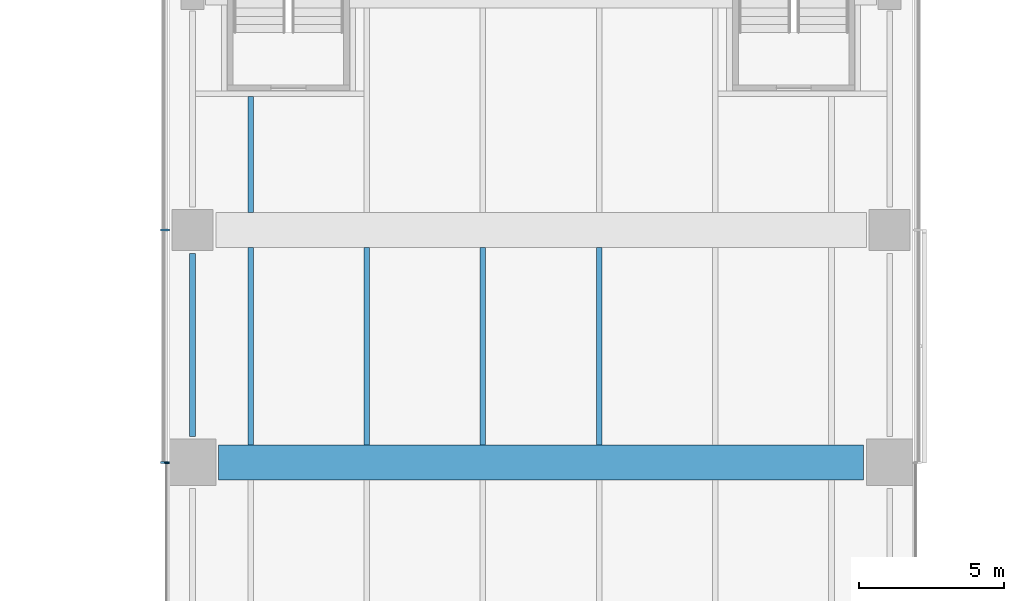
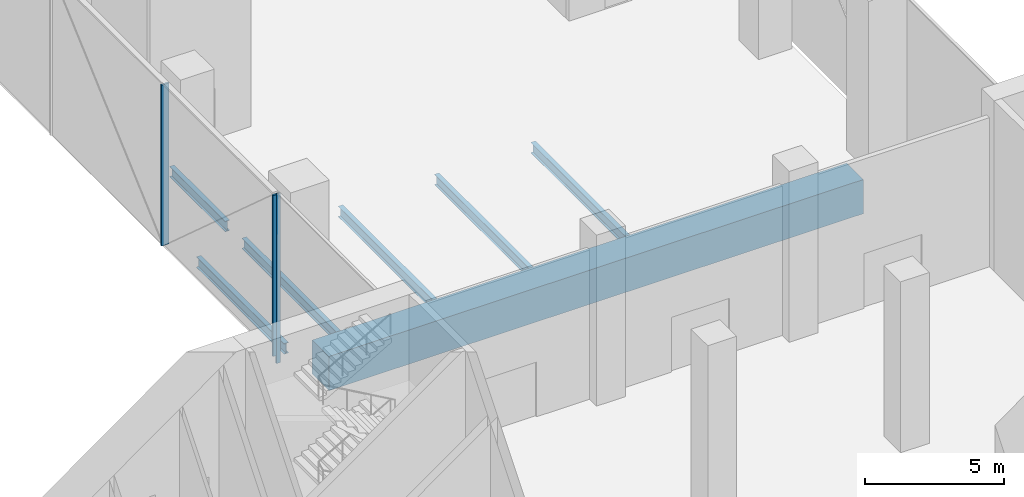
# One storey, part 8 of 25: 7 beams, 3 members, 2 elements without a shape of their own.
"""IFC4 building model written with IfcOpenShell, lengths in metres."""

from ifc_helpers import new_model, si_unit, direction, frame, origin, origin_2d, place, context, subcontext, project, spatial, rectangle, i_section, extrude, material, material_profile, profile_set, type_object, element, aggregate, save


model = new_model("IFC4")

# Units and contexts
model_context = context("Model", 3, precision=1e-05, world=origin(), true_north=direction((0.0, 1.0)))
body_context = subcontext(model_context, "Body", "Model", "MODEL_VIEW")
ifc_project = project(units=[si_unit("LENGTHUNIT", "METRE"), si_unit("AREAUNIT", "SQUARE_METRE"), si_unit("VOLUMEUNIT", "CUBIC_METRE"), si_unit("PLANEANGLEUNIT", "RADIAN"), si_unit("MASSUNIT", "GRAM", prefix="KILO")], contexts=[model_context])

# Site, building, storey
site_placement = place(None, origin())
site = spatial("IfcSite", under=ifc_project, at=site_placement, CompositionType="ELEMENT")
building_placement = place(site_placement, origin())
building = spatial("IfcBuilding", under=site, at=building_placement, Name="Crosswind Convention Tower", CompositionType="ELEMENT")
storey_placement = place(building_placement, frame((0.0, 0.0, 10.0)))
storey = spatial("IfcBuildingStorey", under=building, at=storey_placement, Name="L01", CompositionType="ELEMENT", Elevation=10.0)

# Beam
ifc_material_1 = material(Name="Steel S355", Category="steel")
ifc_material_profile_1 = material_profile(ifc_material_1, i_section(OverallWidth=0.19287109375, OverallDepth=0.467529296875, WebThickness=0.011474609375, FlangeThickness=0.01953125, FilletRadius=0.01025390625, at=origin_2d()), Name="UB 457x191x98")
ifc_profile_set_1 = profile_set([ifc_material_profile_1], Name="Steel S355")
beam_type_1 = type_object("IfcBeamType", Name="Edge beam UB 457x191x98", PredefinedType="SPANDREL", material=ifc_profile_set_1)
beam_1_placement = place(storey_placement, frame((113.0, 120.89990234375, -0.6337890625), z_axis=(0.0, 1.0, 0.0), x_axis=(-1.0, 0.0, 0.0)))
element("IfcBeam", 1, at=beam_1_placement, inside=storey, type_object=beam_type_1, Name="B20 L01 edge beam 10", PredefinedType="SPANDREL", context=body_context, shape_type="SweptSolid", body=[
    extrude(i_section(OverallWidth=0.19287109375, OverallDepth=0.467529296875, WebThickness=0.011474609375, FlangeThickness=0.01953125, FilletRadius=0.01025390625, at=origin_2d()), origin(), (0.0, 0.0, 1.0), 6.300048828125),
])

# Curtain wall, member
ifc_material_2 = material(Name="Aluminium unitised curtain wall", Category="aluminium")
curtain_wall_type_1 = type_object("IfcCurtainWallType", Name="CORE END SLOT WALL 160", PredefinedType="USERDEFINED", material=ifc_material_2)
curtain_wall_1_placement = place(storey_placement, origin())
curtain_wall_1 = element("IfcCurtainWall", 2, at=curtain_wall_1_placement, inside=storey, type_object=curtain_wall_type_1, Name="CW6 L01 N-W.1-4 slot", ObjectType="UNITISED", PredefinedType="USERDEFINED")
ifc_material_3 = material(Name="Aluminium mullion", Category="aluminium")
ifc_material_profile_2 = material_profile(ifc_material_3, rectangle(XDim=0.159912109375, YDim=0.050048828125, at=origin_2d()), Name="AL 160X50")
ifc_profile_set_2 = profile_set([ifc_material_profile_2], Name="Aluminium mullion")
member_type_1 = type_object("IfcMemberType", Name="MULLION 50X160", PredefinedType="MULLION", material=ifc_profile_set_2)
member_1_placement = place(storey_placement, frame((112.1201171875, 119.97509765625, -0.39990234375), z_axis=(0.0, 0.0, 1.0), x_axis=(-1.0, 0.0, 0.0)))
member_1 = element("IfcMember", 3, at=member_1_placement, type_object=member_type_1, Name="CW6 mullion 1", PredefinedType="MULLION", context=body_context, shape_type="SweptSolid", body=[
    extrude(rectangle(XDim=0.159912109375, YDim=0.050048828125, at=origin_2d()), origin(), (0.0, 0.0, 1.0), 7.449951171875),
])
aggregate(curtain_wall_1, [member_1])

# Curtain wall, members
curtain_wall_type_2 = type_object("IfcCurtainWallType", Name="PODIUM UNITISED WALL 300", PredefinedType="USERDEFINED", material=ifc_material_2)
curtain_wall_2_placement = place(storey_placement, origin())
curtain_wall_2 = element("IfcCurtainWall", 4, at=curtain_wall_2_placement, inside=storey, type_object=curtain_wall_type_2, Name="CW1 L01 N-W 1", ObjectType="UNITISED", PredefinedType="USERDEFINED")
ifc_material_profile_3 = material_profile(ifc_material_3, rectangle(XDim=0.300048828125, YDim=0.080078125, at=origin_2d()), Name="AL 300X80")
ifc_profile_set_3 = profile_set([ifc_material_profile_3], Name="Aluminium mullion")
member_type_2 = type_object("IfcMemberType", Name="MULLION 80X300", PredefinedType="MULLION", material=ifc_profile_set_3)
member_2_placement = place(storey_placement, frame((112.050048828125, 128.0, -0.044921875), z_axis=(0.0, 0.0, 1.0), x_axis=(-1.0, 0.0, 0.0)))
member_2 = element("IfcMember", 5, at=member_2_placement, type_object=member_type_2, Name="CW1 mullion 3", PredefinedType="MULLION", context=body_context, shape_type="SweptSolid", body=[
    extrude(rectangle(XDim=0.300048828125, YDim=0.080078125, at=origin_2d()), origin(), (0.0, 0.0, 1.0), 7.06494140625),
])
member_3_placement = place(storey_placement, frame((112.050048828125, 120.0, -0.044921875), z_axis=(0.0, 0.0, 1.0), x_axis=(-1.0, 0.0, 0.0)))
member_3 = element("IfcMember", 6, at=member_3_placement, type_object=member_type_2, Name="CW1 mullion 4", PredefinedType="MULLION", context=body_context, shape_type="SweptSolid", body=[
    extrude(rectangle(XDim=0.300048828125, YDim=0.080078125, at=origin_2d()), origin(), (0.0, 0.0, 1.0), 7.06494140625),
])
aggregate(curtain_wall_2, [member_2, member_3])

# Beams
ifc_material_4 = material(Name="Concrete C70/85", Category="concrete")
ifc_material_profile_4 = material_profile(ifc_material_4, rectangle(XDim=1.199951171875, YDim=1.5, at=origin_2d()), Name="RC 1200X1500")
ifc_profile_set_4 = profile_set([ifc_material_profile_4], Name="Concrete C70/85")
beam_type_2 = type_object("IfcBeamType", Name="Prestressed concrete girder RC 1200X1500", PredefinedType="BEAM", material=ifc_profile_set_4)
beam_2_placement = place(storey_placement, frame((113.89990234375, 120.0, -1.14990234375), z_axis=(1.0, 0.0, 0.0), x_axis=(0.0, 1.0, 0.0)))
element("IfcBeam", 7, at=beam_2_placement, inside=storey, type_object=beam_type_2, Name="B39 L01 prestressed concrete girder 4", PredefinedType="BEAM", context=body_context, shape_type="SweptSolid", body=[
    extrude(rectangle(XDim=1.199951171875, YDim=1.5, at=origin_2d()), origin(), (0.0, 0.0, 1.0), 22.2001953125),
])
ifc_material_profile_5 = material_profile(ifc_material_1, i_section(OverallWidth=0.19140625, OverallDepth=0.460205078125, WebThickness=0.010009765625, FlangeThickness=0.01611328125, FilletRadius=0.01025390625, at=origin_2d()), Name="UB 457x191x82")
ifc_profile_set_5 = profile_set([ifc_material_profile_5], Name="Steel S355")
beam_type_3 = type_object("IfcBeamType", Name="Secondary beam UB 457x191x82", PredefinedType="JOIST", material=ifc_profile_set_5)
beam_3_placement = place(storey_placement, frame((115.0, 120.60009765625, -0.630126953125), z_axis=(0.0, 1.0, 0.0), x_axis=(-1.0, 0.0, 0.0)))
element("IfcBeam", 8, at=beam_3_placement, inside=storey, type_object=beam_type_3, Name="B13 L01 secondary beam 18", PredefinedType="JOIST", context=body_context, shape_type="SweptSolid", body=[
    extrude(i_section(OverallWidth=0.19140625, OverallDepth=0.460205078125, WebThickness=0.010009765625, FlangeThickness=0.01611328125, FilletRadius=0.01025390625, at=origin_2d()), origin(), (0.0, 0.0, 1.0), 6.7998046875),
])
beam_4_placement = place(storey_placement, frame((115.0, 128.60009765625, -0.630126953125), z_axis=(0.0, 1.0, 0.0), x_axis=(-1.0, 0.0, 0.0)))
element("IfcBeam", 9, at=beam_4_placement, inside=storey, type_object=beam_type_3, Name="B13 L01 secondary beam 19", PredefinedType="JOIST", context=body_context, shape_type="SweptSolid", body=[
    extrude(i_section(OverallWidth=0.19140625, OverallDepth=0.460205078125, WebThickness=0.010009765625, FlangeThickness=0.01611328125, FilletRadius=0.01025390625, at=origin_2d()), origin(), (0.0, 0.0, 1.0), 3.993896484375),
])
for number, where, z_axis, x_axis, name in (
    (10, (119.0, 120.60009765625, -0.630126953125), (0.0, 1.0, 0.0), (-1.0, 0.0, 0.0), "B13 L01 secondary beam 25"),
    (11, (123.0, 120.60009765625, -0.630126953125), (0.0, 1.0, 0.0), (-1.0, 0.0, 0.0), "B13 L01 secondary beam 36"),
    (12, (127.0, 120.60009765625, -0.630126953125), (0.0, 1.0, 0.0), (-1.0, 0.0, 0.0), "B13 L01 secondary beam 44"),
):
    element("IfcBeam", number, at=place(storey_placement, frame(where, z_axis=z_axis, x_axis=x_axis)), inside=storey, type_object=beam_type_3, Name=name, PredefinedType="JOIST", context=body_context, shape_type="SweptSolid", body=[
        extrude(i_section(OverallWidth=0.19140625, OverallDepth=0.460205078125, WebThickness=0.010009765625, FlangeThickness=0.01611328125, FilletRadius=0.01025390625, at=origin_2d()), origin(), (0.0, 0.0, 1.0), 6.7998046875),
    ])

save(model, "model.ifc")
